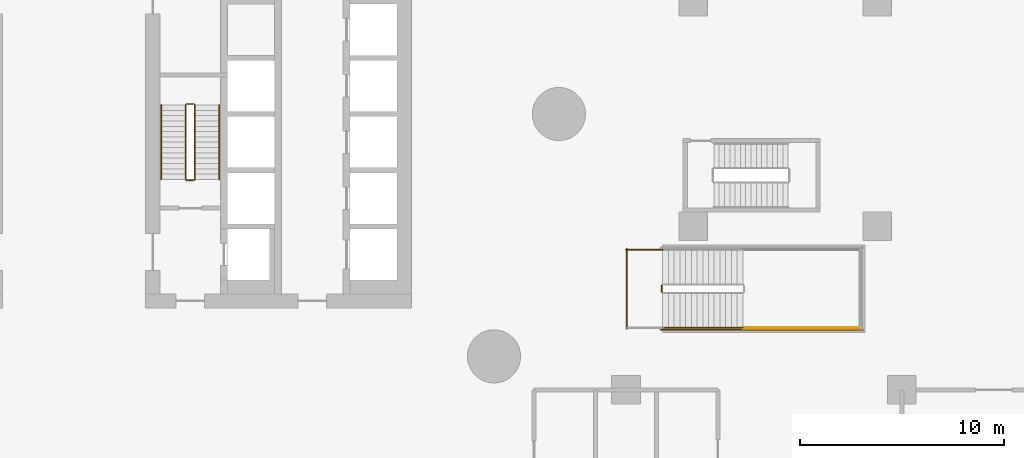
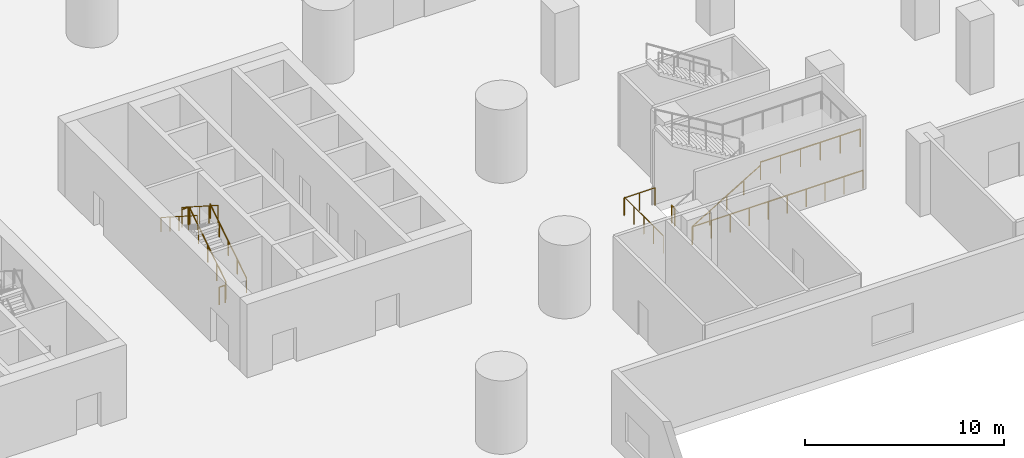
# One storey, part 39 of 44: 12 railings.
"""IFC4 building model written with IfcOpenShell, lengths in metres."""

from ifc_helpers import new_model, si_unit, direction, frame, origin, origin_2d, place, context, subcontext, project, spatial, circle, extrude, material, type_object, element, save


model = new_model("IFC4")

# Units and contexts
model_context = context("Model", 3, precision=1e-05, world=origin(), true_north=direction((0.0, 1.0)))
body_context = subcontext(model_context, "Body", "Model", "MODEL_VIEW")
ifc_project = project(units=[si_unit("LENGTHUNIT", "METRE"), si_unit("AREAUNIT", "SQUARE_METRE"), si_unit("VOLUMEUNIT", "CUBIC_METRE"), si_unit("PLANEANGLEUNIT", "RADIAN"), si_unit("MASSUNIT", "GRAM", prefix="KILO")], contexts=[model_context])

# Site, building, storey
site_placement = place(None, origin())
site = spatial("IfcSite", under=ifc_project, at=site_placement, CompositionType="ELEMENT")
building_placement = place(site_placement, origin())
building = spatial("IfcBuilding", under=site, at=building_placement, Name="Tamarind Cross Interchange Tower", CompositionType="ELEMENT")
storey_placement = place(building_placement, frame((0.0, 0.0, 15.0)))
storey = spatial("IfcBuildingStorey", under=building, at=storey_placement, Name="L02", CompositionType="ELEMENT", Elevation=15.0)

# Railings
ifc_material_1 = material(Name="Public stair guard")
railing_type_1 = type_object("IfcRailingType", Name="Public stair guard", PredefinedType="GUARDRAIL", material=ifc_material_1)
railing_1_placement = place(storey_placement, frame((32.719970703125, -10.449951171875, 2.5)))
element("IfcRailing", 1, at=railing_1_placement, inside=storey, type_object=railing_type_1, Name="L02 PS-E stair guard 3", PredefinedType="GUARDRAIL", context=body_context, shape_type="SweptSolid", body=[
    extrude(circle(Radius=0.02392578125, at=origin_2d()), frame((0.0, 0.0, 1.076171875), z_axis=(1.0, 0.0, 0.0), x_axis=(0.0, 1.0, 0.0)), (0.0, 0.0, 1.0), 5.780029296875),
    extrude(circle(Radius=0.02099609375, at=origin_2d()), origin(), (0.0, 0.0, 1.0), 1.052001953125),
    extrude(circle(Radius=0.02099609375, at=origin_2d()), frame((1.156005859375, 0.0, 0.0)), (0.0, 0.0, 1.0), 1.052001953125),
    extrude(circle(Radius=0.02099609375, at=origin_2d()), frame((2.31201171875, 0.0, 0.0)), (0.0, 0.0, 1.0), 1.052001953125),
    extrude(circle(Radius=0.02099609375, at=origin_2d()), frame((3.468017578125, 0.0, 0.0)), (0.0, 0.0, 1.0), 1.052001953125),
    extrude(circle(Radius=0.02099609375, at=origin_2d()), frame((4.6240234375, 0.0, 0.0)), (0.0, 0.0, 1.0), 1.052001953125),
    extrude(circle(Radius=0.02099609375, at=origin_2d()), frame((5.780029296875, 0.0, 0.0)), (0.0, 0.0, 1.0), 1.052001953125),
])
railing_2_placement = place(storey_placement, frame((28.75, -8.699951171875, 0.0)))
element("IfcRailing", 2, at=railing_2_placement, inside=storey, type_object=railing_type_1, Name="L02 PS-E stair guard 7", PredefinedType="GUARDRAIL", context=body_context, shape_type="SweptSolid", body=[
    extrude(circle(Radius=0.02392578125, at=origin_2d()), frame((0.0, 0.0, 1.076171875), z_axis=(0.0, 1.0, 0.0), x_axis=(-1.0, 0.0, 0.0)), (0.0, 0.0, 1.0), 0.300048828125),
    extrude(circle(Radius=0.02099609375, at=origin_2d()), origin(), (0.0, 0.0, 1.0), 1.052001953125),
    extrude(circle(Radius=0.02099609375, at=origin_2d()), frame((0.0, 0.300048828125, 0.0)), (0.0, 0.0, 1.0), 1.052001953125),
])
railing_3_placement = place(storey_placement, frame((27.0, -6.64990234375, 0.0)))
element("IfcRailing", 3, at=railing_3_placement, inside=storey, type_object=railing_type_1, Name="L02 PS-E stair guard 9", PredefinedType="GUARDRAIL", context=body_context, shape_type="SweptSolid", body=[
    extrude(circle(Radius=0.02392578125, at=origin_2d()), frame((0.0, 0.0, 1.076171875), z_axis=(1.0, 0.0, 0.0), x_axis=(0.0, 1.0, 0.0)), (0.0, 0.0, 1.0), 1.800048828125),
    extrude(circle(Radius=0.02099609375, at=origin_2d()), origin(), (0.0, 0.0, 1.0), 1.052001953125),
    extrude(circle(Radius=0.02099609375, at=origin_2d()), frame((0.89990234375, 0.0, 0.0)), (0.0, 0.0, 1.0), 1.052001953125),
    extrude(circle(Radius=0.02099609375, at=origin_2d()), frame((1.800048828125, 0.0, 0.0)), (0.0, 0.0, 1.0), 1.052001953125),
])
railing_4_placement = place(storey_placement, frame((27.050048828125, -10.5, 0.0)))
element("IfcRailing", 4, at=railing_4_placement, inside=storey, type_object=railing_type_1, Name="L02 PS-E stair guard 10", PredefinedType="GUARDRAIL", context=body_context, shape_type="SweptSolid", body=[
    extrude(circle(Radius=0.02392578125, at=origin_2d()), frame((0.0, 0.0, 1.076171875), z_axis=(0.0, 1.0, 0.0), x_axis=(-1.0, 0.0, 0.0)), (0.0, 0.0, 1.0), 3.89990234375),
    extrude(circle(Radius=0.02099609375, at=origin_2d()), origin(), (0.0, 0.0, 1.0), 1.052001953125),
    extrude(circle(Radius=0.02099609375, at=origin_2d()), frame((0.0, 0.97509765625, 0.0)), (0.0, 0.0, 1.0), 1.052001953125),
    extrude(circle(Radius=0.02099609375, at=origin_2d()), frame((0.0, 1.949951171875, 0.0)), (0.0, 0.0, 1.0), 1.052001953125),
    extrude(circle(Radius=0.02099609375, at=origin_2d()), frame((0.0, 2.9248046875, 0.0)), (0.0, 0.0, 1.0), 1.052001953125),
    extrude(circle(Radius=0.02099609375, at=origin_2d()), frame((0.0, 3.89990234375, 0.0)), (0.0, 0.0, 1.0), 1.052001953125),
])
railing_5_placement = place(storey_placement, frame((28.699951171875, -10.550048828125, 0.0)))
element("IfcRailing", 5, at=railing_5_placement, inside=storey, type_object=railing_type_1, Name="L02 PS-E stair guard 11", PredefinedType="GUARDRAIL", context=body_context, shape_type="SweptSolid", body=[
    extrude(circle(Radius=0.02392578125, at=origin_2d()), frame((0.0, 0.0, 1.076171875), z_axis=(1.0, 0.0, 0.0), x_axis=(0.0, 1.0, 0.0)), (0.0, 0.0, 1.0), 9.900146484375),
    extrude(circle(Radius=0.02099609375, at=origin_2d()), origin(), (0.0, 0.0, 1.0), 1.052001953125),
    extrude(circle(Radius=0.02099609375, at=origin_2d()), frame((1.10009765625, 0.0, 0.0)), (0.0, 0.0, 1.0), 1.052001953125),
    extrude(circle(Radius=0.02099609375, at=origin_2d()), frame((2.199951171875, 0.0, 0.0)), (0.0, 0.0, 1.0), 1.052001953125),
    extrude(circle(Radius=0.02099609375, at=origin_2d()), frame((3.300048828125, 0.0, 0.0)), (0.0, 0.0, 1.0), 1.052001953125),
    extrude(circle(Radius=0.02099609375, at=origin_2d()), frame((4.400146484375, 0.0, 0.0)), (0.0, 0.0, 1.0), 1.052001953125),
    extrude(circle(Radius=0.02099609375, at=origin_2d()), frame((5.5, 0.0, 0.0)), (0.0, 0.0, 1.0), 1.052001953125),
    extrude(circle(Radius=0.02099609375, at=origin_2d()), frame((6.60009765625, 0.0, 0.0)), (0.0, 0.0, 1.0), 1.052001953125),
    extrude(circle(Radius=0.02099609375, at=origin_2d()), frame((7.7001953125, 0.0, 0.0)), (0.0, 0.0, 1.0), 1.052001953125),
    extrude(circle(Radius=0.02099609375, at=origin_2d()), frame((8.800048828125, 0.0, 0.0)), (0.0, 0.0, 1.0), 1.052001953125),
    extrude(circle(Radius=0.02099609375, at=origin_2d()), frame((9.900146484375, 0.0, 0.0)), (0.0, 0.0, 1.0), 1.052001953125),
])
ifc_material_2 = material(Name="Public stair handrail")
railing_type_2 = type_object("IfcRailingType", Name="Public stair handrail", PredefinedType="HANDRAIL", material=ifc_material_2)
railing_6_placement = place(storey_placement, frame((28.800048828125, -10.449951171875, 0.166748046875)))
element("IfcRailing", 6, at=railing_6_placement, inside=storey, type_object=railing_type_2, Name="L02 PS-E stair handrail 1", PredefinedType="HANDRAIL", context=body_context, shape_type="SweptSolid", body=[
    extrude(circle(Radius=0.02392578125, at=origin_2d()), frame((0.0, 0.0, 0.8759765625), z_axis=(0.859296244711, 0.0, 0.511478214419), x_axis=(0.0, 1.0, 0.0)), (0.0, 0.0, 1.0), 4.561767578125),
    extrude(circle(Radius=0.02099609375, at=origin_2d()), origin(), (0.0, 0.0, 1.0), 0.851806640625),
    extrude(circle(Radius=0.02099609375, at=origin_2d()), frame((0.97998046875, 0.0, 0.583251953125)), (0.0, 0.0, 1.0), 0.851806640625),
    extrude(circle(Radius=0.02099609375, at=origin_2d()), frame((1.9599609375, 0.0, 1.16650390625)), (0.0, 0.0, 1.0), 0.851806640625),
    extrude(circle(Radius=0.02099609375, at=origin_2d()), frame((2.93994140625, 0.0, 1.75)), (0.0, 0.0, 1.0), 0.851806640625),
    extrude(circle(Radius=0.02099609375, at=origin_2d()), frame((3.919921875, 0.0, 2.333251953125)), (0.0, 0.0, 1.0), 0.851806640625),
])
ifc_material_3 = material(Name="Stair guard")
railing_type_3 = type_object("IfcRailingType", Name="Stair guard", PredefinedType="GUARDRAIL", material=ifc_material_3)
railing_7_placement = place(storey_placement, frame((5.89990234375, -3.199951171875, 0.166748046875)))
element("IfcRailing", 7, at=railing_7_placement, inside=storey, type_object=railing_type_3, Name="L02 ST2 stair guard 1", PredefinedType="GUARDRAIL", context=body_context, shape_type="SweptSolid", body=[
    extrude(circle(Radius=0.02392578125, at=origin_2d()), frame((0.0, 0.0, 1.076171875), z_axis=(0.0, 0.841880454617, 0.539664062296), x_axis=(-1.0, 0.0, 0.0)), (0.0, 0.0, 1.0), 4.323486328125),
    extrude(circle(Radius=0.02099609375, at=origin_2d()), origin(), (0.0, 0.0, 1.0), 1.052001953125),
    extrude(circle(Radius=0.02099609375, at=origin_2d()), frame((0.0, 0.909912109375, 0.583251953125)), (0.0, 0.0, 1.0), 1.052001953125),
    extrude(circle(Radius=0.02099609375, at=origin_2d()), frame((0.0, 1.81982421875, 1.16650390625)), (0.0, 0.0, 1.0), 1.052001953125),
    extrude(circle(Radius=0.02099609375, at=origin_2d()), frame((0.0, 2.72998046875, 1.75)), (0.0, 0.0, 1.0), 1.052001953125),
    extrude(circle(Radius=0.02099609375, at=origin_2d()), frame((0.0, 3.639892578125, 2.333251953125)), (0.0, 0.0, 1.0), 1.052001953125),
])
railing_8_placement = place(storey_placement, frame((5.85009765625, 0.489990234375, 2.5)))
element("IfcRailing", 8, at=railing_8_placement, inside=storey, type_object=railing_type_3, Name="L02 ST2 stair guard 2", PredefinedType="GUARDRAIL", context=body_context, shape_type="SweptSolid", body=[
    extrude(circle(Radius=0.02392578125, at=origin_2d()), frame((0.0, 0.0, 1.076171875), z_axis=(-1.0, 0.0, 0.0), x_axis=(0.0, -1.0, 0.0)), (0.0, 0.0, 1.0), 0.35009765625),
    extrude(circle(Radius=0.02099609375, at=origin_2d()), origin(), (0.0, 0.0, 1.0), 1.052001953125),
    extrude(circle(Radius=0.02099609375, at=origin_2d()), frame((-0.35009765625, 0.0, 0.0)), (0.0, 0.0, 1.0), 1.052001953125),
])
railing_9_placement = place(storey_placement, frame((5.449951171875, 0.43994140625, 2.666748046875)))
element("IfcRailing", 9, at=railing_9_placement, inside=storey, type_object=railing_type_3, Name="L02 ST2 stair guard 3", PredefinedType="GUARDRAIL", context=body_context, shape_type="SweptSolid", body=[
    extrude(circle(Radius=0.02392578125, at=origin_2d()), frame((0.0, 0.0, 1.076171875), z_axis=(0.0, -0.841880454617, 0.539664062296), x_axis=(1.0, 0.0, 0.0)), (0.0, 0.0, 1.0), 4.323486328125),
    extrude(circle(Radius=0.02099609375, at=origin_2d()), origin(), (0.0, 0.0, 1.0), 1.052001953125),
    extrude(circle(Radius=0.02099609375, at=origin_2d()), frame((0.0, -0.909912109375, 0.583251953125)), (0.0, 0.0, 1.0), 1.052001953125),
    extrude(circle(Radius=0.02099609375, at=origin_2d()), frame((0.0, -1.81982421875, 1.16650390625)), (0.0, 0.0, 1.0), 1.052001953125),
    extrude(circle(Radius=0.02099609375, at=origin_2d()), frame((0.0, -2.72998046875, 1.75)), (0.0, 0.0, 1.0), 1.052001953125),
    extrude(circle(Radius=0.02099609375, at=origin_2d()), frame((0.0, -3.639892578125, 2.333251953125)), (0.0, 0.0, 1.0), 1.052001953125),
])
railing_10_placement = place(storey_placement, frame((5.85009765625, -3.25, 0.0)))
element("IfcRailing", 10, at=railing_10_placement, inside=storey, type_object=railing_type_3, Name="L02 ST2 stair guard 4", PredefinedType="GUARDRAIL", context=body_context, shape_type="SweptSolid", body=[
    extrude(circle(Radius=0.02392578125, at=origin_2d()), frame((0.0, 0.0, 1.076171875), z_axis=(-1.0, 0.0, 0.0), x_axis=(0.0, -1.0, 0.0)), (0.0, 0.0, 1.0), 0.35009765625),
    extrude(circle(Radius=0.02099609375, at=origin_2d()), origin(), (0.0, 0.0, 1.0), 1.052001953125),
    extrude(circle(Radius=0.02099609375, at=origin_2d()), frame((-0.35009765625, 0.0, 0.0)), (0.0, 0.0, 1.0), 1.052001953125),
])
ifc_material_4 = material(Name="Stair handrail")
railing_type_4 = type_object("IfcRailingType", Name="Stair handrail", PredefinedType="HANDRAIL", material=ifc_material_4)
railing_11_placement = place(storey_placement, frame((7.10009765625, -3.199951171875, 0.166748046875)))
element("IfcRailing", 11, at=railing_11_placement, inside=storey, type_object=railing_type_4, Name="L02 ST2 stair handrail 1", PredefinedType="HANDRAIL", context=body_context, shape_type="SweptSolid", body=[
    extrude(circle(Radius=0.02392578125, at=origin_2d()), frame((0.0, 0.0, 0.8759765625), z_axis=(0.0, 0.841880454617, 0.539664062296), x_axis=(-1.0, 0.0, 0.0)), (0.0, 0.0, 1.0), 4.323486328125),
    extrude(circle(Radius=0.02099609375, at=origin_2d()), origin(), (0.0, 0.0, 1.0), 0.851806640625),
    extrude(circle(Radius=0.02099609375, at=origin_2d()), frame((0.0, 0.909912109375, 0.583251953125)), (0.0, 0.0, 1.0), 0.851806640625),
    extrude(circle(Radius=0.02099609375, at=origin_2d()), frame((0.0, 1.81982421875, 1.16650390625)), (0.0, 0.0, 1.0), 0.851806640625),
    extrude(circle(Radius=0.02099609375, at=origin_2d()), frame((0.0, 2.72998046875, 1.75)), (0.0, 0.0, 1.0), 0.851806640625),
    extrude(circle(Radius=0.02099609375, at=origin_2d()), frame((0.0, 3.639892578125, 2.333251953125)), (0.0, 0.0, 1.0), 0.851806640625),
])
railing_12_placement = place(storey_placement, frame((4.25, 0.43994140625, 2.666748046875)))
element("IfcRailing", 12, at=railing_12_placement, inside=storey, type_object=railing_type_4, Name="L02 ST2 stair handrail 2", PredefinedType="HANDRAIL", context=body_context, shape_type="SweptSolid", body=[
    extrude(circle(Radius=0.02392578125, at=origin_2d()), frame((0.0, 0.0, 0.8759765625), z_axis=(0.0, -0.841880454617, 0.539664062296), x_axis=(1.0, 0.0, 0.0)), (0.0, 0.0, 1.0), 4.323486328125),
    extrude(circle(Radius=0.02099609375, at=origin_2d()), origin(), (0.0, 0.0, 1.0), 0.851806640625),
    extrude(circle(Radius=0.02099609375, at=origin_2d()), frame((0.0, -0.909912109375, 0.583251953125)), (0.0, 0.0, 1.0), 0.851806640625),
    extrude(circle(Radius=0.02099609375, at=origin_2d()), frame((0.0, -1.81982421875, 1.16650390625)), (0.0, 0.0, 1.0), 0.851806640625),
    extrude(circle(Radius=0.02099609375, at=origin_2d()), frame((0.0, -2.72998046875, 1.75)), (0.0, 0.0, 1.0), 0.851806640625),
    extrude(circle(Radius=0.02099609375, at=origin_2d()), frame((0.0, -3.639892578125, 2.333251953125)), (0.0, 0.0, 1.0), 0.851806640625),
])

save(model, "model.ifc")
